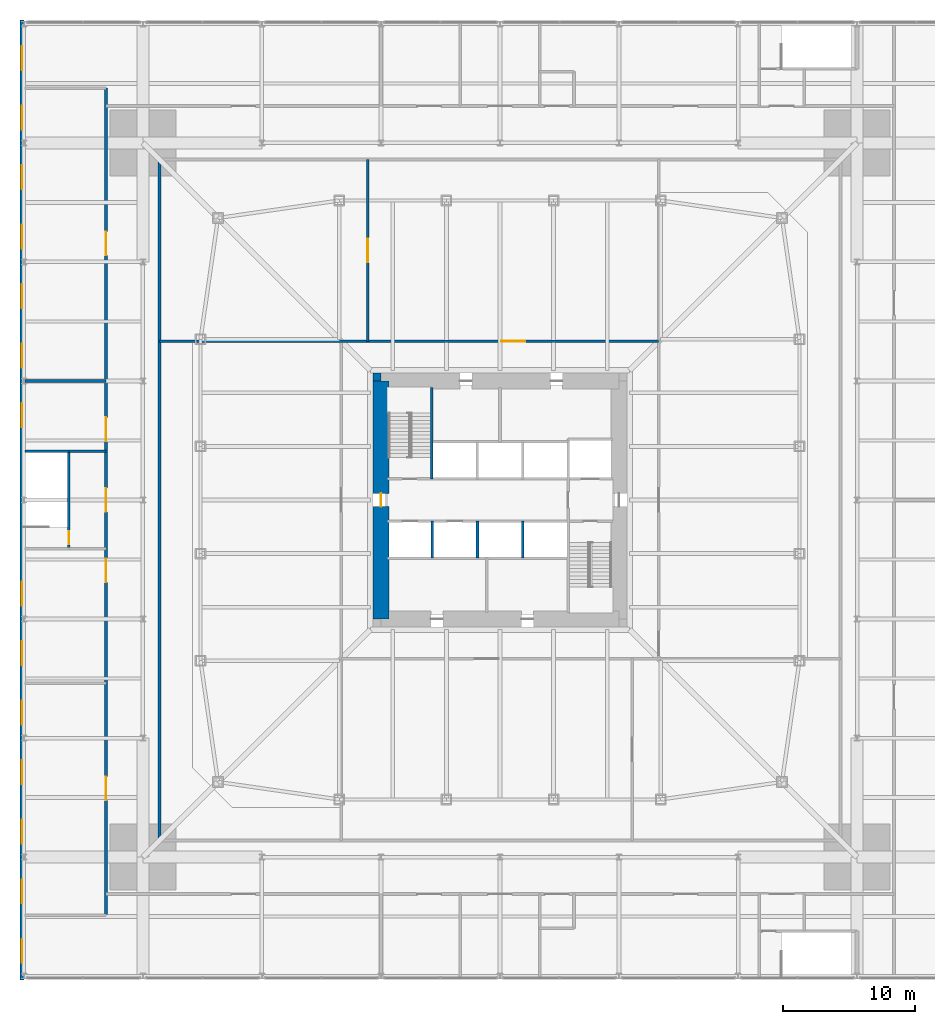
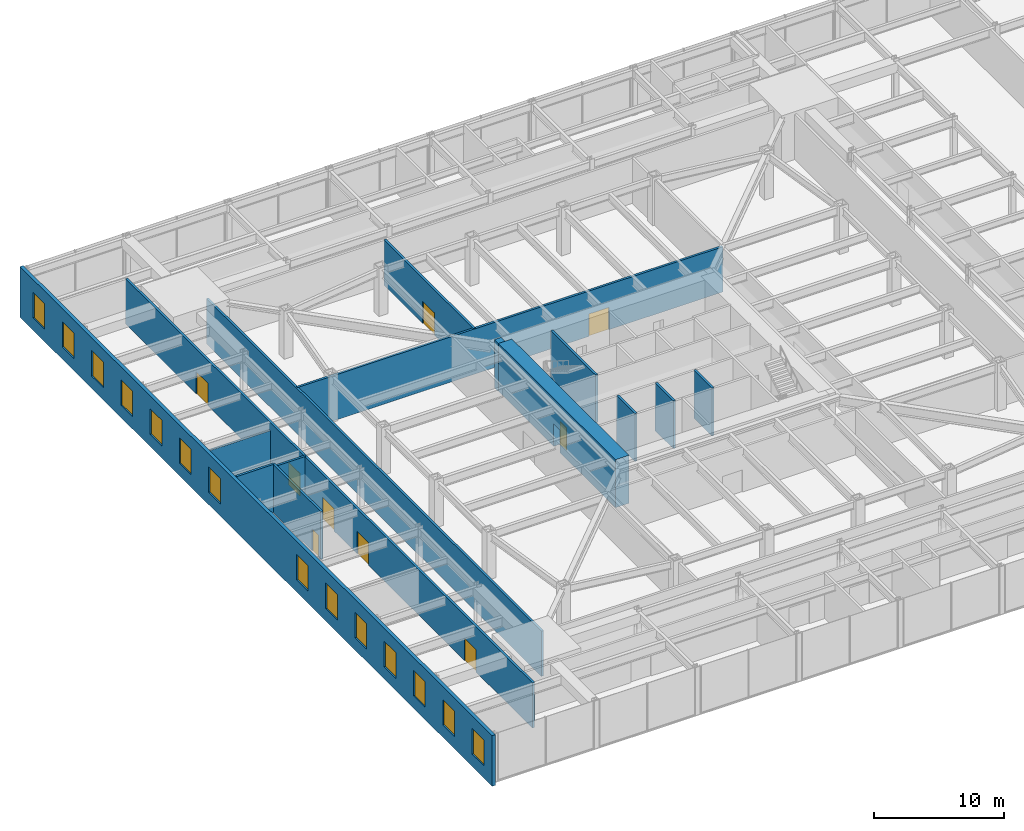
# One storey, part 21 of 30: 15 walls, 14 windows, 9 doors, 23 openings.
"""IFC4 building model written with IfcOpenShell, lengths in metres."""

from ifc_helpers import new_model, si_unit, direction, frame, frame_2d, origin, place, context, subcontext, project, spatial, rectangle, extrude, material, layer, layer_set, type_object, element, fill, save


model = new_model("IFC4")

# Units and contexts
model_context = context("Model", 3, precision=1e-05, world=origin(), true_north=direction((0.0, 1.0)))
body_context = subcontext(model_context, "Body", "Model", "MODEL_VIEW")
ifc_project = project(units=[si_unit("LENGTHUNIT", "METRE"), si_unit("AREAUNIT", "SQUARE_METRE"), si_unit("VOLUMEUNIT", "CUBIC_METRE"), si_unit("PLANEANGLEUNIT", "RADIAN"), si_unit("MASSUNIT", "GRAM", prefix="KILO")], contexts=[model_context])

# Site, building, storey
site_placement = place(None, origin())
site = spatial("IfcSite", under=ifc_project, at=site_placement, CompositionType="ELEMENT")
building_placement = place(site_placement, origin())
building = spatial("IfcBuilding", under=site, at=building_placement, Name="Iwan Alto Co-Living Towers", CompositionType="ELEMENT")
storey_placement = place(building_placement, frame((0.0, 0.0, 10.5)))
storey = spatial("IfcBuildingStorey", under=building, at=storey_placement, Name="L02", CompositionType="ELEMENT", Elevation=10.5)

# Wall, openings, windows
ifc_material_1 = material(Name="Fired clay brick facing", Category="masonry")
ifc_layer_1 = layer(ifc_material_1, 0.10009765625, Name="Brick facing", Category="Finish")
ifc_material_2 = material(Name="Concrete f'c 70 MPa", Category="concrete")
ifc_layer_2 = layer(ifc_material_2, 0.199951171875, Name="Reinforced concrete", Category="LoadBearing")
ifc_layer_set_1 = layer_set([ifc_layer_1, ifc_layer_2], Name="PODIUM BRICK WALL 300")
wall_type_1 = type_object("IfcWallType", Name="PODIUM BRICK WALL 300", PredefinedType="SOLIDWALL", material=ifc_layer_set_1)
wall_1_placement = place(storey_placement, frame((-36.14990234375, 36.300048828125, -0.25), z_axis=(0.0, 0.0, 1.0), x_axis=(0.0, -1.0, 0.0)))
wall_1 = element("IfcWall", 1, at=wall_1_placement, inside=storey, type_object=wall_type_1, Name="Podium wall W L02", PredefinedType="SOLIDWALL", context=body_context, shape_type="SweptSolid", body=[
    extrude(rectangle(XDim=72.60009765625, YDim=0.300048828125, at=frame_2d((36.300048828125, 0.0))), origin(), (0.0, 0.0, 1.0), 4.75),
])
opening_1_placement = place(wall_1_placement, frame((2.0, 0.0, 1.14990234375)))
opening_1 = element("IfcOpeningElement", 2, at=opening_1_placement, cuts=wall_1, Name="Opening WN1", PredefinedType="OPENING", context=body_context, shape_type="SweptSolid", body=[
    extrude(rectangle(XDim=1.800048828125, YDim=2.39990234375, at=frame_2d((0.89990234375, 1.199951171875))), frame((0.0, 0.159912109375, 0.0), z_axis=(0.0, -1.0, 0.0), x_axis=(1.0, 0.0, 0.0)), (0.0, 0.0, 1.0), 0.320068359375),
])
opening_2_placement = place(wall_1_placement, frame((6.5, 0.0, 1.14990234375)))
opening_2 = element("IfcOpeningElement", 3, at=opening_2_placement, cuts=wall_1, Name="Opening WN1", PredefinedType="OPENING", context=body_context, shape_type="SweptSolid", body=[
    extrude(rectangle(XDim=1.800048828125, YDim=2.39990234375, at=frame_2d((0.89990234375, 1.199951171875))), frame((0.0, 0.159912109375, 0.0), z_axis=(0.0, -1.0, 0.0), x_axis=(1.0, 0.0, 0.0)), (0.0, 0.0, 1.0), 0.320068359375),
])
opening_3_placement = place(wall_1_placement, frame((11.0, 0.0, 1.14990234375)))
opening_3 = element("IfcOpeningElement", 4, at=opening_3_placement, cuts=wall_1, Name="Opening WN1", PredefinedType="OPENING", context=body_context, shape_type="SweptSolid", body=[
    extrude(rectangle(XDim=1.800048828125, YDim=2.39990234375, at=frame_2d((0.89990234375, 1.199951171875))), frame((0.0, 0.159912109375, 0.0), z_axis=(0.0, -1.0, 0.0), x_axis=(1.0, 0.0, 0.0)), (0.0, 0.0, 1.0), 0.320068359375),
])
opening_4_placement = place(wall_1_placement, frame((15.5, 0.0, 1.14990234375)))
opening_4 = element("IfcOpeningElement", 5, at=opening_4_placement, cuts=wall_1, Name="Opening WN1", PredefinedType="OPENING", context=body_context, shape_type="SweptSolid", body=[
    extrude(rectangle(XDim=1.800048828125, YDim=2.39990234375, at=frame_2d((0.89990234375, 1.199951171875))), frame((0.0, 0.159912109375, 0.0), z_axis=(0.0, -1.0, 0.0), x_axis=(1.0, 0.0, 0.0)), (0.0, 0.0, 1.0), 0.320068359375),
])
opening_5_placement = place(wall_1_placement, frame((20.0, 0.0, 1.14990234375)))
opening_5 = element("IfcOpeningElement", 6, at=opening_5_placement, cuts=wall_1, Name="Opening WN1", PredefinedType="OPENING", context=body_context, shape_type="SweptSolid", body=[
    extrude(rectangle(XDim=1.800048828125, YDim=2.39990234375, at=frame_2d((0.89990234375, 1.199951171875))), frame((0.0, 0.159912109375, 0.0), z_axis=(0.0, -1.0, 0.0), x_axis=(1.0, 0.0, 0.0)), (0.0, 0.0, 1.0), 0.320068359375),
])
opening_6_placement = place(wall_1_placement, frame((24.5, 0.0, 1.14990234375)))
opening_6 = element("IfcOpeningElement", 7, at=opening_6_placement, cuts=wall_1, Name="Opening WN1", PredefinedType="OPENING", context=body_context, shape_type="SweptSolid", body=[
    extrude(rectangle(XDim=1.800048828125, YDim=2.39990234375, at=frame_2d((0.89990234375, 1.199951171875))), frame((0.0, 0.159912109375, 0.0), z_axis=(0.0, -1.0, 0.0), x_axis=(1.0, 0.0, 0.0)), (0.0, 0.0, 1.0), 0.320068359375),
])
opening_7_placement = place(wall_1_placement, frame((29.0, 0.0, 1.14990234375)))
opening_7 = element("IfcOpeningElement", 8, at=opening_7_placement, cuts=wall_1, Name="Opening WN1", PredefinedType="OPENING", context=body_context, shape_type="SweptSolid", body=[
    extrude(rectangle(XDim=1.800048828125, YDim=2.39990234375, at=frame_2d((0.89990234375, 1.199951171875))), frame((0.0, 0.159912109375, 0.0), z_axis=(0.0, -1.0, 0.0), x_axis=(1.0, 0.0, 0.0)), (0.0, 0.0, 1.0), 0.320068359375),
])
opening_8_placement = place(wall_1_placement, frame((42.5, 0.0, 1.14990234375)))
opening_8 = element("IfcOpeningElement", 9, at=opening_8_placement, cuts=wall_1, Name="Opening WN1", PredefinedType="OPENING", context=body_context, shape_type="SweptSolid", body=[
    extrude(rectangle(XDim=1.800048828125, YDim=2.39990234375, at=frame_2d((0.89990234375, 1.199951171875))), frame((0.0, 0.159912109375, 0.0), z_axis=(0.0, -1.0, 0.0), x_axis=(1.0, 0.0, 0.0)), (0.0, 0.0, 1.0), 0.320068359375),
])
opening_9_placement = place(wall_1_placement, frame((47.0, 0.0, 1.14990234375)))
opening_9 = element("IfcOpeningElement", 10, at=opening_9_placement, cuts=wall_1, Name="Opening WN1", PredefinedType="OPENING", context=body_context, shape_type="SweptSolid", body=[
    extrude(rectangle(XDim=1.800048828125, YDim=2.39990234375, at=frame_2d((0.89990234375, 1.199951171875))), frame((0.0, 0.159912109375, 0.0), z_axis=(0.0, -1.0, 0.0), x_axis=(1.0, 0.0, 0.0)), (0.0, 0.0, 1.0), 0.320068359375),
])
opening_10_placement = place(wall_1_placement, frame((51.5, 0.0, 1.14990234375)))
opening_10 = element("IfcOpeningElement", 11, at=opening_10_placement, cuts=wall_1, Name="Opening WN1", PredefinedType="OPENING", context=body_context, shape_type="SweptSolid", body=[
    extrude(rectangle(XDim=1.800048828125, YDim=2.39990234375, at=frame_2d((0.89990234375, 1.199951171875))), frame((0.0, 0.159912109375, 0.0), z_axis=(0.0, -1.0, 0.0), x_axis=(1.0, 0.0, 0.0)), (0.0, 0.0, 1.0), 0.320068359375),
])
opening_11_placement = place(wall_1_placement, frame((56.0, 0.0, 1.14990234375)))
opening_11 = element("IfcOpeningElement", 12, at=opening_11_placement, cuts=wall_1, Name="Opening WN1", PredefinedType="OPENING", context=body_context, shape_type="SweptSolid", body=[
    extrude(rectangle(XDim=1.800048828125, YDim=2.39990234375, at=frame_2d((0.89990234375, 1.199951171875))), frame((0.0, 0.159912109375, 0.0), z_axis=(0.0, -1.0, 0.0), x_axis=(1.0, 0.0, 0.0)), (0.0, 0.0, 1.0), 0.320068359375),
])
opening_12_placement = place(wall_1_placement, frame((60.5, 0.0, 1.14990234375)))
opening_12 = element("IfcOpeningElement", 13, at=opening_12_placement, cuts=wall_1, Name="Opening WN1", PredefinedType="OPENING", context=body_context, shape_type="SweptSolid", body=[
    extrude(rectangle(XDim=1.800048828125, YDim=2.39990234375, at=frame_2d((0.89990234375, 1.199951171875))), frame((0.0, 0.159912109375, 0.0), z_axis=(0.0, -1.0, 0.0), x_axis=(1.0, 0.0, 0.0)), (0.0, 0.0, 1.0), 0.320068359375),
])
opening_13_placement = place(wall_1_placement, frame((65.0, 0.0, 1.14990234375)))
opening_13 = element("IfcOpeningElement", 14, at=opening_13_placement, cuts=wall_1, Name="Opening WN1", PredefinedType="OPENING", context=body_context, shape_type="SweptSolid", body=[
    extrude(rectangle(XDim=1.800048828125, YDim=2.39990234375, at=frame_2d((0.89990234375, 1.199951171875))), frame((0.0, 0.159912109375, 0.0), z_axis=(0.0, -1.0, 0.0), x_axis=(1.0, 0.0, 0.0)), (0.0, 0.0, 1.0), 0.320068359375),
])
opening_14_placement = place(wall_1_placement, frame((69.5, 0.0, 1.14990234375)))
opening_14 = element("IfcOpeningElement", 15, at=opening_14_placement, cuts=wall_1, Name="Opening WN1", PredefinedType="OPENING", context=body_context, shape_type="SweptSolid", body=[
    extrude(rectangle(XDim=1.800048828125, YDim=2.39990234375, at=frame_2d((0.89990234375, 1.199951171875))), frame((0.0, 0.159912109375, 0.0), z_axis=(0.0, -1.0, 0.0), x_axis=(1.0, 0.0, 0.0)), (0.0, 0.0, 1.0), 0.320068359375),
])
ifc_material_3 = material(Name="Bronze aluminium window frame", Category="aluminium")
window_type = type_object("IfcWindowType", Name="WN1 PODIUM WINDOW 1800X2400", PartitioningType="SINGLE_PANEL", PredefinedType="WINDOW", material=ifc_material_3)
window_1_placement = place(opening_1_placement, origin())
window_1 = element("IfcWindow", 16, at=window_1_placement, inside=storey, type_object=window_type, Name="Podium window", OverallHeight=2.39990234375, OverallWidth=1.800048828125, PartitioningType="SINGLE_PANEL", PredefinedType="WINDOW", context=body_context, shape_type="SweptSolid", body=[
    extrude(rectangle(XDim=1.800048828125, YDim=2.39990234375, at=frame_2d((0.89990234375, 1.199951171875))), frame((0.0, 0.030029296875, 0.0), z_axis=(0.0, -1.0, 0.0), x_axis=(1.0, 0.0, 0.0)), (0.0, 0.0, 1.0), 0.06005859375),
])
fill(opening_1, window_1)
window_2_placement = place(opening_2_placement, origin())
window_2 = element("IfcWindow", 17, at=window_2_placement, inside=storey, type_object=window_type, Name="Podium window", OverallHeight=2.39990234375, OverallWidth=1.800048828125, PartitioningType="SINGLE_PANEL", PredefinedType="WINDOW", context=body_context, shape_type="SweptSolid", body=[
    extrude(rectangle(XDim=1.800048828125, YDim=2.39990234375, at=frame_2d((0.89990234375, 1.199951171875))), frame((0.0, 0.030029296875, 0.0), z_axis=(0.0, -1.0, 0.0), x_axis=(1.0, 0.0, 0.0)), (0.0, 0.0, 1.0), 0.06005859375),
])
fill(opening_2, window_2)
window_3_placement = place(opening_3_placement, origin())
window_3 = element("IfcWindow", 18, at=window_3_placement, inside=storey, type_object=window_type, Name="Podium window", OverallHeight=2.39990234375, OverallWidth=1.800048828125, PartitioningType="SINGLE_PANEL", PredefinedType="WINDOW", context=body_context, shape_type="SweptSolid", body=[
    extrude(rectangle(XDim=1.800048828125, YDim=2.39990234375, at=frame_2d((0.89990234375, 1.199951171875))), frame((0.0, 0.030029296875, 0.0), z_axis=(0.0, -1.0, 0.0), x_axis=(1.0, 0.0, 0.0)), (0.0, 0.0, 1.0), 0.06005859375),
])
fill(opening_3, window_3)
window_4_placement = place(opening_4_placement, origin())
window_4 = element("IfcWindow", 19, at=window_4_placement, inside=storey, type_object=window_type, Name="Podium window", OverallHeight=2.39990234375, OverallWidth=1.800048828125, PartitioningType="SINGLE_PANEL", PredefinedType="WINDOW", context=body_context, shape_type="SweptSolid", body=[
    extrude(rectangle(XDim=1.800048828125, YDim=2.39990234375, at=frame_2d((0.89990234375, 1.199951171875))), frame((0.0, 0.030029296875, 0.0), z_axis=(0.0, -1.0, 0.0), x_axis=(1.0, 0.0, 0.0)), (0.0, 0.0, 1.0), 0.06005859375),
])
fill(opening_4, window_4)
window_5_placement = place(opening_5_placement, origin())
window_5 = element("IfcWindow", 20, at=window_5_placement, inside=storey, type_object=window_type, Name="Podium window", OverallHeight=2.39990234375, OverallWidth=1.800048828125, PartitioningType="SINGLE_PANEL", PredefinedType="WINDOW", context=body_context, shape_type="SweptSolid", body=[
    extrude(rectangle(XDim=1.800048828125, YDim=2.39990234375, at=frame_2d((0.89990234375, 1.199951171875))), frame((0.0, 0.030029296875, 0.0), z_axis=(0.0, -1.0, 0.0), x_axis=(1.0, 0.0, 0.0)), (0.0, 0.0, 1.0), 0.06005859375),
])
fill(opening_5, window_5)
window_6_placement = place(opening_6_placement, origin())
window_6 = element("IfcWindow", 21, at=window_6_placement, inside=storey, type_object=window_type, Name="Podium window", OverallHeight=2.39990234375, OverallWidth=1.800048828125, PartitioningType="SINGLE_PANEL", PredefinedType="WINDOW", context=body_context, shape_type="SweptSolid", body=[
    extrude(rectangle(XDim=1.800048828125, YDim=2.39990234375, at=frame_2d((0.89990234375, 1.199951171875))), frame((0.0, 0.030029296875, 0.0), z_axis=(0.0, -1.0, 0.0), x_axis=(1.0, 0.0, 0.0)), (0.0, 0.0, 1.0), 0.06005859375),
])
fill(opening_6, window_6)
window_7_placement = place(opening_7_placement, origin())
window_7 = element("IfcWindow", 22, at=window_7_placement, inside=storey, type_object=window_type, Name="Podium window", OverallHeight=2.39990234375, OverallWidth=1.800048828125, PartitioningType="SINGLE_PANEL", PredefinedType="WINDOW", context=body_context, shape_type="SweptSolid", body=[
    extrude(rectangle(XDim=1.800048828125, YDim=2.39990234375, at=frame_2d((0.89990234375, 1.199951171875))), frame((0.0, 0.030029296875, 0.0), z_axis=(0.0, -1.0, 0.0), x_axis=(1.0, 0.0, 0.0)), (0.0, 0.0, 1.0), 0.06005859375),
])
fill(opening_7, window_7)
window_8_placement = place(opening_8_placement, origin())
window_8 = element("IfcWindow", 23, at=window_8_placement, inside=storey, type_object=window_type, Name="Podium window", OverallHeight=2.39990234375, OverallWidth=1.800048828125, PartitioningType="SINGLE_PANEL", PredefinedType="WINDOW", context=body_context, shape_type="SweptSolid", body=[
    extrude(rectangle(XDim=1.800048828125, YDim=2.39990234375, at=frame_2d((0.89990234375, 1.199951171875))), frame((0.0, 0.030029296875, 0.0), z_axis=(0.0, -1.0, 0.0), x_axis=(1.0, 0.0, 0.0)), (0.0, 0.0, 1.0), 0.06005859375),
])
fill(opening_8, window_8)
window_9_placement = place(opening_9_placement, origin())
window_9 = element("IfcWindow", 24, at=window_9_placement, inside=storey, type_object=window_type, Name="Podium window", OverallHeight=2.39990234375, OverallWidth=1.800048828125, PartitioningType="SINGLE_PANEL", PredefinedType="WINDOW", context=body_context, shape_type="SweptSolid", body=[
    extrude(rectangle(XDim=1.800048828125, YDim=2.39990234375, at=frame_2d((0.89990234375, 1.199951171875))), frame((0.0, 0.030029296875, 0.0), z_axis=(0.0, -1.0, 0.0), x_axis=(1.0, 0.0, 0.0)), (0.0, 0.0, 1.0), 0.06005859375),
])
fill(opening_9, window_9)
window_10_placement = place(opening_10_placement, origin())
window_10 = element("IfcWindow", 25, at=window_10_placement, inside=storey, type_object=window_type, Name="Podium window", OverallHeight=2.39990234375, OverallWidth=1.800048828125, PartitioningType="SINGLE_PANEL", PredefinedType="WINDOW", context=body_context, shape_type="SweptSolid", body=[
    extrude(rectangle(XDim=1.800048828125, YDim=2.39990234375, at=frame_2d((0.89990234375, 1.199951171875))), frame((0.0, 0.030029296875, 0.0), z_axis=(0.0, -1.0, 0.0), x_axis=(1.0, 0.0, 0.0)), (0.0, 0.0, 1.0), 0.06005859375),
])
fill(opening_10, window_10)
window_11_placement = place(opening_11_placement, origin())
window_11 = element("IfcWindow", 26, at=window_11_placement, inside=storey, type_object=window_type, Name="Podium window", OverallHeight=2.39990234375, OverallWidth=1.800048828125, PartitioningType="SINGLE_PANEL", PredefinedType="WINDOW", context=body_context, shape_type="SweptSolid", body=[
    extrude(rectangle(XDim=1.800048828125, YDim=2.39990234375, at=frame_2d((0.89990234375, 1.199951171875))), frame((0.0, 0.030029296875, 0.0), z_axis=(0.0, -1.0, 0.0), x_axis=(1.0, 0.0, 0.0)), (0.0, 0.0, 1.0), 0.06005859375),
])
fill(opening_11, window_11)
window_12_placement = place(opening_12_placement, origin())
window_12 = element("IfcWindow", 27, at=window_12_placement, inside=storey, type_object=window_type, Name="Podium window", OverallHeight=2.39990234375, OverallWidth=1.800048828125, PartitioningType="SINGLE_PANEL", PredefinedType="WINDOW", context=body_context, shape_type="SweptSolid", body=[
    extrude(rectangle(XDim=1.800048828125, YDim=2.39990234375, at=frame_2d((0.89990234375, 1.199951171875))), frame((0.0, 0.030029296875, 0.0), z_axis=(0.0, -1.0, 0.0), x_axis=(1.0, 0.0, 0.0)), (0.0, 0.0, 1.0), 0.06005859375),
])
fill(opening_12, window_12)
window_13_placement = place(opening_13_placement, origin())
window_13 = element("IfcWindow", 28, at=window_13_placement, inside=storey, type_object=window_type, Name="Podium window", OverallHeight=2.39990234375, OverallWidth=1.800048828125, PartitioningType="SINGLE_PANEL", PredefinedType="WINDOW", context=body_context, shape_type="SweptSolid", body=[
    extrude(rectangle(XDim=1.800048828125, YDim=2.39990234375, at=frame_2d((0.89990234375, 1.199951171875))), frame((0.0, 0.030029296875, 0.0), z_axis=(0.0, -1.0, 0.0), x_axis=(1.0, 0.0, 0.0)), (0.0, 0.0, 1.0), 0.06005859375),
])
fill(opening_13, window_13)
window_14_placement = place(opening_14_placement, origin())
window_14 = element("IfcWindow", 29, at=window_14_placement, inside=storey, type_object=window_type, Name="Podium window", OverallHeight=2.39990234375, OverallWidth=1.800048828125, PartitioningType="SINGLE_PANEL", PredefinedType="WINDOW", context=body_context, shape_type="SweptSolid", body=[
    extrude(rectangle(XDim=1.800048828125, YDim=2.39990234375, at=frame_2d((0.89990234375, 1.199951171875))), frame((0.0, 0.030029296875, 0.0), z_axis=(0.0, -1.0, 0.0), x_axis=(1.0, 0.0, 0.0)), (0.0, 0.0, 1.0), 0.06005859375),
])
fill(opening_14, window_14)

# Walls
ifc_material_4 = material(Name="Concrete block masonry f*p 10 MPa", Category="masonry")
ifc_layer_3 = layer(ifc_material_4, 0.199951171875)
ifc_layer_set_2 = layer_set([ifc_layer_3], Name="PODIUM INTERNAL WALL 200")
wall_type_2 = type_object("IfcWallType", Name="PODIUM INTERNAL WALL 200", PredefinedType="SOLIDWALL", material=ifc_layer_set_2)
wall_2_placement = place(storey_placement, frame((-32.60009765625, 3.699951171875, 0.0), z_axis=(0.0, 0.0, 1.0), x_axis=(1.0, 0.0, 0.0)))
element("IfcWall", 30, at=wall_2_placement, inside=storey, type_object=wall_type_2, Name="Partition L02", PredefinedType="SOLIDWALL", context=body_context, shape_type="SweptSolid", body=[
    extrude(rectangle(XDim=2.800048828125, YDim=0.199951171875, at=frame_2d((1.39990234375, 0.0))), origin(), (0.0, 0.0, 1.0), 4.25),
])
wall_3_placement = place(storey_placement, frame((-35.93994140625, 9.0, 0.0), z_axis=(0.0, 0.0, 1.0), x_axis=(1.0, 0.0, 0.0)))
element("IfcWall", 31, at=wall_3_placement, inside=storey, type_object=wall_type_2, Name="Partition L02", PredefinedType="SOLIDWALL", context=body_context, shape_type="SweptSolid", body=[
    extrude(rectangle(XDim=6.139892578125, YDim=0.199951171875, at=frame_2d((3.06982421875, 0.0))), origin(), (0.0, 0.0, 1.0), 3.48046875),
])

# Wall, opening, door
wall_4_placement = place(storey_placement, frame((-25.75, 12.0, 0.0), z_axis=(0.0, 0.0, 1.0), x_axis=(1.0, 0.0, 0.0)))
wall_4 = element("IfcWall", 32, at=wall_4_placement, inside=storey, type_object=wall_type_2, Name="Partition L02", PredefinedType="SOLIDWALL", context=body_context, shape_type="SweptSolid", body=[
    extrude(rectangle(XDim=37.75, YDim=0.199951171875, at=frame_2d((18.875, 0.0))), origin(), (0.0, 0.0, 1.0), 4.25),
])
opening_15_placement = place(wall_4_placement, frame((25.85009765625, 0.0, 0.0)))
opening_15 = element("IfcOpeningElement", 33, at=opening_15_placement, cuts=wall_4, Name="Opening D9", PredefinedType="OPENING", context=body_context, shape_type="SweptSolid", body=[
    extrude(rectangle(XDim=1.800048828125, YDim=2.10009765625, at=frame_2d((0.89990234375, 1.050048828125))), frame((0.0, 0.10986328125, 0.0), z_axis=(0.0, -1.0, 0.0), x_axis=(1.0, 0.0, 0.0)), (0.0, 0.0, 1.0), 0.219970703125),
])
ifc_material_5 = material(Name="Steel frame with timber leaf", Category="steel")
door_type_1 = type_object("IfcDoorType", Name="LOUNGE DOOR FD30S 1800X2100", OperationType="DOUBLE_DOOR_SINGLE_SWING", PredefinedType="DOOR", material=ifc_material_5)
door_1_placement = place(opening_15_placement, origin())
door_1 = element("IfcDoor", 34, at=door_1_placement, inside=storey, type_object=door_type_1, Name="Co-working studio door L02", OperationType="DOUBLE_DOOR_SINGLE_SWING", OverallHeight=2.10009765625, OverallWidth=1.800048828125, PredefinedType="DOOR", context=body_context, shape_type="SweptSolid", body=[
    extrude(rectangle(XDim=1.800048828125, YDim=2.10009765625, at=frame_2d((0.89990234375, 1.050048828125))), frame((0.0, 0.02490234375, 0.0), z_axis=(0.0, -1.0, 0.0), x_axis=(1.0, 0.0, 0.0)), (0.0, 0.0, 1.0), 0.050048828125),
])
fill(opening_15, door_1)

wall_5_placement = place(storey_placement, frame((-10.0, 12.0, 0.0), z_axis=(0.0, 0.0, 1.0), x_axis=(0.0, 1.0, 0.0)))
wall_5 = element("IfcWall", 35, at=wall_5_placement, inside=storey, type_object=wall_type_2, Name="Partition L02", PredefinedType="SOLIDWALL", context=body_context, shape_type="SweptSolid", body=[
    extrude(rectangle(XDim=13.75, YDim=0.199951171875, at=frame_2d((6.875, 0.0))), origin(), (0.0, 0.0, 1.0), 4.25),
])
opening_16_placement = place(wall_5_placement, frame((5.97509765625, 0.0, 0.0)))
opening_16 = element("IfcOpeningElement", 36, at=opening_16_placement, cuts=wall_5, Name="Opening D9", PredefinedType="OPENING", context=body_context, shape_type="SweptSolid", body=[
    extrude(rectangle(XDim=1.800048828125, YDim=2.10009765625, at=frame_2d((0.89990234375, 1.050048828125))), frame((0.0, 0.10986328125, 0.0), z_axis=(0.0, -1.0, 0.0), x_axis=(1.0, 0.0, 0.0)), (0.0, 0.0, 1.0), 0.219970703125),
])
door_2_placement = place(opening_16_placement, frame((1.800048828125, 0.0, 0.0), z_axis=(0.0, 0.0, 1.0), x_axis=(-1.0, 0.0, 0.0)))
door_2 = element("IfcDoor", 37, at=door_2_placement, inside=storey, type_object=door_type_1, Name="Meeting room door L02", OperationType="DOUBLE_DOOR_SINGLE_SWING", OverallHeight=2.10009765625, OverallWidth=1.800048828125, PredefinedType="DOOR", context=body_context, shape_type="SweptSolid", body=[
    extrude(rectangle(XDim=1.800048828125, YDim=2.10009765625, at=frame_2d((0.89990234375, 1.050048828125))), frame((0.0, 0.02490234375, 0.0), z_axis=(0.0, -1.0, 0.0), x_axis=(1.0, 0.0, 0.0)), (0.0, 0.0, 1.0), 0.050048828125),
])
fill(opening_16, door_2)

# Wall
wall_6_placement = place(storey_placement, frame((-25.75, -25.75, 0.0), z_axis=(0.0, 0.0, 1.0), x_axis=(0.0, 1.0, 0.0)))
element("IfcWall", 38, at=wall_6_placement, inside=storey, type_object=wall_type_2, Name="Partition L02", PredefinedType="SOLIDWALL", context=body_context, shape_type="SweptSolid", body=[
    extrude(rectangle(XDim=51.5, YDim=0.199951171875, at=frame_2d((25.75, 0.0))), origin(), (0.0, 0.0, 1.0), 4.25),
])

# Wall, openings, doors
wall_7_placement = place(storey_placement, frame((-29.800048828125, -31.39990234375, 0.0), z_axis=(0.0, 0.0, 1.0), x_axis=(0.0, 1.0, 0.0)))
wall_7 = element("IfcWall", 39, at=wall_7_placement, inside=storey, type_object=wall_type_2, Name="Partition L02", PredefinedType="SOLIDWALL", context=body_context, shape_type="SweptSolid", body=[
    extrude(rectangle(XDim=62.5498046875, YDim=0.199951171875, at=frame_2d((31.27490234375, 0.0))), origin(), (0.0, 0.0, 1.0), 4.25),
])
opening_17_placement = place(wall_7_placement, frame((8.675048828125, 0.0, 0.0)))
opening_17 = element("IfcOpeningElement", 40, at=opening_17_placement, cuts=wall_7, Name="Opening D9", PredefinedType="OPENING", context=body_context, shape_type="SweptSolid", body=[
    extrude(rectangle(XDim=1.800048828125, YDim=2.10009765625, at=frame_2d((0.89990234375, 1.050048828125))), frame((0.0, 0.10986328125, 0.0), z_axis=(0.0, -1.0, 0.0), x_axis=(1.0, 0.0, 0.0)), (0.0, 0.0, 1.0), 0.219970703125),
])
opening_18_placement = place(wall_7_placement, frame((25.175048828125, 0.0, 0.0)))
opening_18 = element("IfcOpeningElement", 41, at=opening_18_placement, cuts=wall_7, Name="Opening D9", PredefinedType="OPENING", context=body_context, shape_type="SweptSolid", body=[
    extrude(rectangle(XDim=1.800048828125, YDim=2.10009765625, at=frame_2d((0.89990234375, 1.050048828125))), frame((0.0, 0.10986328125, 0.0), z_axis=(0.0, -1.0, 0.0), x_axis=(1.0, 0.0, 0.0)), (0.0, 0.0, 1.0), 0.219970703125),
])
opening_19_placement = place(wall_7_placement, frame((30.5, 0.0, 0.0)))
opening_19 = element("IfcOpeningElement", 42, at=opening_19_placement, cuts=wall_7, Name="Opening D9", PredefinedType="OPENING", context=body_context, shape_type="SweptSolid", body=[
    extrude(rectangle(XDim=1.800048828125, YDim=2.10009765625, at=frame_2d((0.89990234375, 1.050048828125))), frame((0.0, 0.10986328125, 0.0), z_axis=(0.0, -1.0, 0.0), x_axis=(1.0, 0.0, 0.0)), (0.0, 0.0, 1.0), 0.219970703125),
])
opening_20_placement = place(wall_7_placement, frame((35.85009765625, 0.0, 0.0)))
opening_20 = element("IfcOpeningElement", 43, at=opening_20_placement, cuts=wall_7, Name="Opening D9", PredefinedType="OPENING", context=body_context, shape_type="SweptSolid", body=[
    extrude(rectangle(XDim=1.800048828125, YDim=2.10009765625, at=frame_2d((0.89990234375, 1.050048828125))), frame((0.0, 0.10986328125, 0.0), z_axis=(0.0, -1.0, 0.0), x_axis=(1.0, 0.0, 0.0)), (0.0, 0.0, 1.0), 0.219970703125),
])
opening_21_placement = place(wall_7_placement, frame((49.89990234375, 0.0, 0.0)))
opening_21 = element("IfcOpeningElement", 44, at=opening_21_placement, cuts=wall_7, Name="Opening D9", PredefinedType="OPENING", context=body_context, shape_type="SweptSolid", body=[
    extrude(rectangle(XDim=1.800048828125, YDim=2.10009765625, at=frame_2d((0.89990234375, 1.050048828125))), frame((0.0, 0.10986328125, 0.0), z_axis=(0.0, -1.0, 0.0), x_axis=(1.0, 0.0, 0.0)), (0.0, 0.0, 1.0), 0.219970703125),
])
door_3_placement = place(opening_17_placement, origin())
door_3 = element("IfcDoor", 45, at=door_3_placement, inside=storey, type_object=door_type_1, Name="Bicycle store door L02", OperationType="DOUBLE_DOOR_SINGLE_SWING", OverallHeight=2.10009765625, OverallWidth=1.800048828125, PredefinedType="DOOR", context=body_context, shape_type="SweptSolid", body=[
    extrude(rectangle(XDim=1.800048828125, YDim=2.10009765625, at=frame_2d((0.89990234375, 1.050048828125))), frame((0.0, 0.02490234375, 0.0), z_axis=(0.0, -1.0, 0.0), x_axis=(1.0, 0.0, 0.0)), (0.0, 0.0, 1.0), 0.050048828125),
])
fill(opening_17, door_3)
door_4_placement = place(opening_18_placement, origin())
door_4 = element("IfcDoor", 46, at=door_4_placement, inside=storey, type_object=door_type_1, Name="Store door L02", OperationType="DOUBLE_DOOR_SINGLE_SWING", OverallHeight=2.10009765625, OverallWidth=1.800048828125, PredefinedType="DOOR", context=body_context, shape_type="SweptSolid", body=[
    extrude(rectangle(XDim=1.800048828125, YDim=2.10009765625, at=frame_2d((0.89990234375, 1.050048828125))), frame((0.0, 0.02490234375, 0.0), z_axis=(0.0, -1.0, 0.0), x_axis=(1.0, 0.0, 0.0)), (0.0, 0.0, 1.0), 0.050048828125),
])
fill(opening_18, door_4)
door_5_placement = place(opening_19_placement, origin())
door_5 = element("IfcDoor", 47, at=door_5_placement, inside=storey, type_object=door_type_1, Name="Stair lobby door L02", OperationType="DOUBLE_DOOR_SINGLE_SWING", OverallHeight=2.10009765625, OverallWidth=1.800048828125, PredefinedType="DOOR", context=body_context, shape_type="SweptSolid", body=[
    extrude(rectangle(XDim=1.800048828125, YDim=2.10009765625, at=frame_2d((0.89990234375, 1.050048828125))), frame((0.0, 0.02490234375, 0.0), z_axis=(0.0, -1.0, 0.0), x_axis=(1.0, 0.0, 0.0)), (0.0, 0.0, 1.0), 0.050048828125),
])
fill(opening_19, door_5)
door_6_placement = place(opening_20_placement, origin())
door_6 = element("IfcDoor", 48, at=door_6_placement, inside=storey, type_object=door_type_1, Name="Store door L02", OperationType="DOUBLE_DOOR_SINGLE_SWING", OverallHeight=2.10009765625, OverallWidth=1.800048828125, PredefinedType="DOOR", context=body_context, shape_type="SweptSolid", body=[
    extrude(rectangle(XDim=1.800048828125, YDim=2.10009765625, at=frame_2d((0.89990234375, 1.050048828125))), frame((0.0, 0.02490234375, 0.0), z_axis=(0.0, -1.0, 0.0), x_axis=(1.0, 0.0, 0.0)), (0.0, 0.0, 1.0), 0.050048828125),
])
fill(opening_20, door_6)
door_7_placement = place(opening_21_placement, origin())
door_7 = element("IfcDoor", 49, at=door_7_placement, inside=storey, type_object=door_type_1, Name="Workshop door L02", OperationType="DOUBLE_DOOR_SINGLE_SWING", OverallHeight=2.10009765625, OverallWidth=1.800048828125, PredefinedType="DOOR", context=body_context, shape_type="SweptSolid", body=[
    extrude(rectangle(XDim=1.800048828125, YDim=2.10009765625, at=frame_2d((0.89990234375, 1.050048828125))), frame((0.0, 0.02490234375, 0.0), z_axis=(0.0, -1.0, 0.0), x_axis=(1.0, 0.0, 0.0)), (0.0, 0.0, 1.0), 0.050048828125),
])
fill(opening_21, door_7)

# Walls
ifc_material_6 = material(Name="Concrete f'c 70 MPa", Category="concrete")
ifc_layer_4 = layer(ifc_material_6, 0.199951171875)
ifc_layer_set_3 = layer_set([ifc_layer_4], Name="SHAFT WALL 200")
wall_type_3 = type_object("IfcWallType", Name="SHAFT WALL 200", PredefinedType="SOLIDWALL", material=ifc_layer_set_3)
wall_8_placement = place(storey_placement, frame((-35.93994140625, 3.699951171875, 0.0), z_axis=(0.0, 0.0, 1.0), x_axis=(1.0, 0.0, 0.0)))
element("IfcWall", 50, at=wall_8_placement, inside=storey, type_object=wall_type_3, Name="Shaft wall L02", PredefinedType="SOLIDWALL", context=body_context, shape_type="SweptSolid", body=[
    extrude(rectangle(XDim=3.33984375, YDim=0.199951171875, at=frame_2d((1.669921875, 0.0))), origin(), (0.0, 0.0, 1.0), 4.5),
])
for number, where, z_axis, x_axis, name in (
    (51, (1.72509765625, -4.39990234375, 0.0), (0.0, 0.0, 1.0), (0.0, 1.0, 0.0), "Shaft wall L02"),
    (52, (-1.699951171875, -4.39990234375, 0.0), (0.0, 0.0, 1.0), (0.0, 1.0, 0.0), "Shaft wall L02"),
    (53, (-5.125, -4.39990234375, 0.0), (0.0, 0.0, 1.0), (0.0, 1.0, 0.0), "Shaft wall L02"),
):
    element("IfcWall", number, at=place(storey_placement, frame(where, z_axis=z_axis, x_axis=x_axis)), inside=storey, type_object=wall_type_3, Name=name, PredefinedType="SOLIDWALL", context=body_context, shape_type="SweptSolid", body=[
        extrude(rectangle(XDim=2.7998046875, YDim=0.199951171875, at=frame_2d((1.39990234375, 0.0))), origin(), (0.0, 0.0, 1.0), 4.5),
    ])
wall_9_placement = place(storey_placement, frame((-5.14990234375, 1.60009765625, 0.0), z_axis=(0.0, 0.0, 1.0), x_axis=(0.0, 1.0, 0.0)))
element("IfcWall", 54, at=wall_9_placement, inside=storey, type_object=wall_type_3, Name="Shaft wall L02", PredefinedType="SOLIDWALL", context=body_context, shape_type="SweptSolid", body=[
    extrude(rectangle(XDim=6.889892578125, YDim=0.199951171875, at=frame_2d((3.44482421875, 0.0))), origin(), (0.0, 0.0, 1.0), 4.5),
])

# Wall, opening, door
wall_10_placement = place(storey_placement, frame((-32.60009765625, -3.699951171875, 0.0), z_axis=(0.0, 0.0, 1.0), x_axis=(0.0, 1.0, 0.0)))
wall_10 = element("IfcWall", 55, at=wall_10_placement, inside=storey, type_object=wall_type_3, Name="Shaft wall L02", PredefinedType="SOLIDWALL", context=body_context, shape_type="SweptSolid", body=[
    extrude(rectangle(XDim=7.39990234375, YDim=0.199951171875, at=frame_2d((3.699951171875, 0.0))), origin(), (0.0, 0.0, 1.0), 4.5),
])
opening_22_placement = place(wall_10_placement, frame((0.35009765625, 0.0, 0.0)))
opening_22 = element("IfcOpeningElement", 56, at=opening_22_placement, cuts=wall_10, Name="Opening D5", PredefinedType="OPENING", context=body_context, shape_type="SweptSolid", body=[
    extrude(rectangle(XDim=1.0, YDim=2.10009765625, at=frame_2d((0.5, 1.050048828125))), frame((0.0, 0.10986328125, 0.0), z_axis=(0.0, -1.0, 0.0), x_axis=(1.0, 0.0, 0.0)), (0.0, 0.0, 1.0), 0.219970703125),
])
ifc_material_7 = material(Name="Steel frame with timber leaf", Category="steel")
door_type_2 = type_object("IfcDoorType", Name="STAIR DOOR FD120S 1000X2100", OperationType="SINGLE_SWING_LEFT", PredefinedType="DOOR", material=ifc_material_7)
door_8_placement = place(opening_22_placement, origin())
door_8 = element("IfcDoor", 57, at=door_8_placement, inside=storey, type_object=door_type_2, Name="Stair PS1 door L02", OperationType="SINGLE_SWING_LEFT", OverallHeight=2.10009765625, OverallWidth=1.0, PredefinedType="DOOR", context=body_context, shape_type="SweptSolid", body=[
    extrude(rectangle(XDim=1.0, YDim=2.10009765625, at=frame_2d((0.5, 1.050048828125))), frame((0.0, 0.02490234375, 0.0), z_axis=(0.0, -1.0, 0.0), x_axis=(1.0, 0.0, 0.0)), (0.0, 0.0, 1.0), 0.050048828125),
])
fill(opening_22, door_8)

# Wall
ifc_material_8 = material(Name="Concrete f'c 70 MPa", Category="concrete")
ifc_layer_5 = layer(ifc_material_8, 0.60009765625)
ifc_layer_set_4 = layer_set([ifc_layer_5], Name="T1 CORE CORNER FILL 600")
wall_type_4 = type_object("IfcWallType", Name="T1 CORE CORNER FILL 600", PredefinedType="SOLIDWALL", material=ifc_layer_set_4)
wall_11_placement = place(storey_placement, frame((-9.60009765625, 9.300048828125, 0.0), z_axis=(0.0, 0.0, 1.0), x_axis=(1.0, 0.0, 0.0)))
element("IfcWall", 58, at=wall_11_placement, inside=storey, type_object=wall_type_4, Name="T1 core corner NW L02", PredefinedType="SOLIDWALL", context=body_context, shape_type="SweptSolid", body=[
    extrude(rectangle(XDim=0.60009765625, YDim=0.60009765625, at=frame_2d((0.300048828125, 0.0))), origin(), (0.0, 0.0, 1.0), 4.5),
])

# Wall, opening, door
ifc_material_9 = material(Name="Concrete f'c 70 MPa", Category="concrete")
ifc_layer_6 = layer(ifc_material_9, 1.199951171875)
ifc_layer_set_5 = layer_set([ifc_layer_6], Name="T1 CORE WALL 1200")
wall_type_5 = type_object("IfcWallType", Name="T1 CORE WALL 1200", PredefinedType="SHEAR", material=ifc_layer_set_5)
wall_12_placement = place(storey_placement, frame((-9.0, 9.0, 0.0), z_axis=(0.0, 0.0, 1.0), x_axis=(0.0, -1.0, 0.0)))
wall_12 = element("IfcWall", 59, at=wall_12_placement, inside=storey, type_object=wall_type_5, Name="T1 core wall W L02", PredefinedType="SHEAR", context=body_context, shape_type="SweptSolid", body=[
    extrude(rectangle(XDim=18.0, YDim=1.199951171875, at=frame_2d((9.0, 0.0))), origin(), (0.0, 0.0, 1.0), 4.5),
])
opening_23_placement = place(wall_12_placement, frame((8.5, 0.0, 0.0)))
opening_23 = element("IfcOpeningElement", 60, at=opening_23_placement, cuts=wall_12, Name="Opening D7", PredefinedType="OPENING", context=body_context, shape_type="SweptSolid", body=[
    extrude(rectangle(XDim=1.0, YDim=2.10009765625, at=frame_2d((0.5, 1.050048828125))), frame((0.0, 0.60986328125, 0.0), z_axis=(0.0, -1.0, 0.0), x_axis=(1.0, 0.0, 0.0)), (0.0, 0.0, 1.0), 1.219970703125),
])
ifc_material_10 = material(Name="Steel frame with timber leaf", Category="steel")
door_type_3 = type_object("IfcDoorType", Name="CORE DOOR FD120S 1000X2100", OperationType="SINGLE_SWING_LEFT", PredefinedType="DOOR", material=ifc_material_10)
door_9_placement = place(opening_23_placement, origin())
door_9 = element("IfcDoor", 61, at=door_9_placement, inside=storey, type_object=door_type_3, Name="Lift lobby core door L02", OperationType="SINGLE_SWING_RIGHT", OverallHeight=2.10009765625, OverallWidth=1.0, PredefinedType="DOOR", context=body_context, shape_type="SweptSolid", body=[
    extrude(rectangle(XDim=1.0, YDim=2.10009765625, at=frame_2d((0.5, 1.050048828125))), frame((0.0, 0.02490234375, 0.0), z_axis=(0.0, -1.0, 0.0), x_axis=(1.0, 0.0, 0.0)), (0.0, 0.0, 1.0), 0.050048828125),
])
fill(opening_23, door_9)

save(model, "model.ifc")
